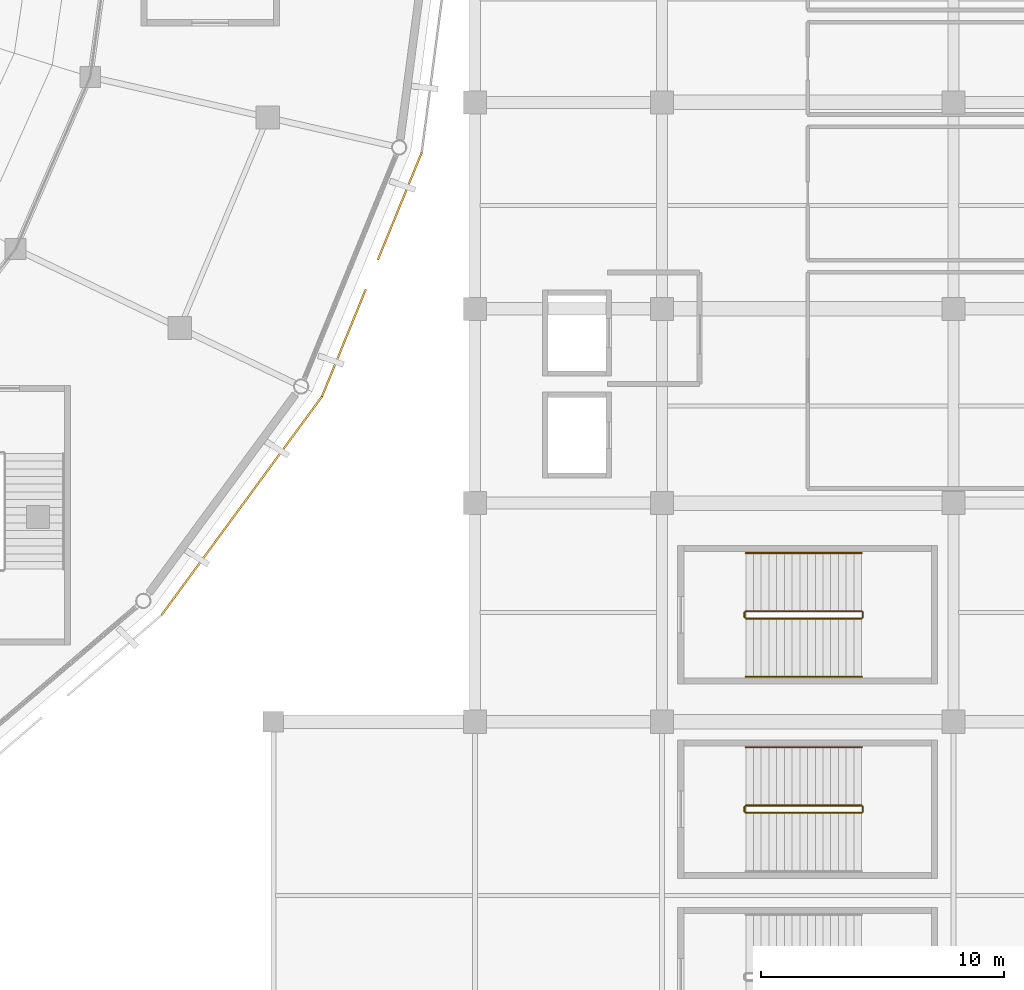
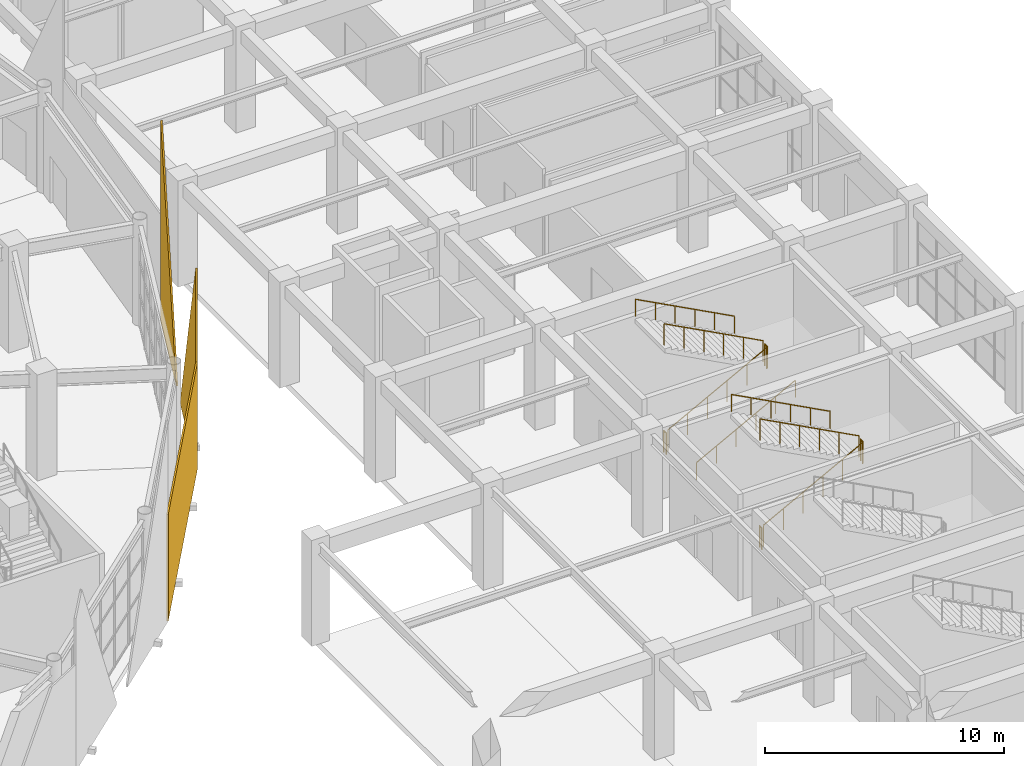
# One storey, part 114 of 120: 11 railings, 3 coverings.
"""IFC4 building model written with IfcOpenShell, lengths in metres."""

from ifc_helpers import new_model, si_unit, direction, frame, frame_2d, origin, origin_2d, place, context, subcontext, project, spatial, polyline, rectangle, circle, outline, extrude, material, layer, layer_set, type_object, element, save


model = new_model("IFC4")

# Units and contexts
model_context = context("Model", 3, precision=1e-05, world=origin(), true_north=direction((0.0, 1.0)))
body_context = subcontext(model_context, "Body", "Model", "MODEL_VIEW")
ifc_project = project(units=[si_unit("LENGTHUNIT", "METRE"), si_unit("AREAUNIT", "SQUARE_METRE"), si_unit("VOLUMEUNIT", "CUBIC_METRE"), si_unit("PLANEANGLEUNIT", "RADIAN"), si_unit("MASSUNIT", "GRAM", prefix="KILO")], contexts=[model_context])

# Site, building, storey
site_placement = place(None, origin())
site = spatial("IfcSite", under=ifc_project, at=site_placement, CompositionType="ELEMENT")
building_placement = place(site_placement, origin())
building = spatial("IfcBuilding", under=site, at=building_placement, Name="Cuetzalor Civic Arena", CompositionType="ELEMENT")
storey_placement = place(building_placement, frame((0.0, 0.0, 6.0)))
storey = spatial("IfcBuildingStorey", under=building, at=storey_placement, Name="L01", CompositionType="ELEMENT", Elevation=6.0)

# Railings
ifc_material_1 = material(Name="Reseda-green architectural Steel S355 balustrade", Category="steel")
railing_type_1 = type_object("IfcRailingType", Name="InteriorVoidBalustrade_1100", PredefinedType="BALUSTRADE", material=ifc_material_1)
railing_1_placement = place(storey_placement, frame((67.449951171875, -37.75, 0.168701171875)))
element("IfcRailing", 1, at=railing_1_placement, inside=storey, type_object=railing_type_1, Name="L01 ST-20 stair guard 1", PredefinedType="BALUSTRADE", context=body_context, shape_type="SweptSolid", body=[
    extrude(circle(Radius=0.02392578125, at=origin_2d()), frame((0.0, 0.0, 1.0810546875), z_axis=(0.883332211103, 0.0, 0.468747485143), x_axis=(0.0, 1.0, 0.0)), (0.0, 0.0, 1.0), 5.400146484375),
    extrude(circle(Radius=0.02099609375, at=origin_2d()), origin(), (0.0, 0.0, 1.0), 1.056884765625),
    extrude(circle(Radius=0.02099609375, at=origin_2d()), frame((0.9541015625, 0.0, 0.50634765625)), (0.0, 0.0, 1.0), 1.056884765625),
    extrude(circle(Radius=0.02099609375, at=origin_2d()), frame((1.907958984375, 0.0, 1.012451171875)), (0.0, 0.0, 1.0), 1.056884765625),
    extrude(circle(Radius=0.02099609375, at=origin_2d()), frame((2.862060546875, 0.0, 1.518798828125)), (0.0, 0.0, 1.0), 1.056884765625),
    extrude(circle(Radius=0.02099609375, at=origin_2d()), frame((3.81591796875, 0.0, 2.02490234375)), (0.0, 0.0, 1.0), 1.056884765625),
    extrude(circle(Radius=0.02099609375, at=origin_2d()), frame((4.77001953125, 0.0, 2.53125)), (0.0, 0.0, 1.0), 1.056884765625),
])
railing_2_placement = place(storey_placement, frame((72.27001953125, -37.699951171875, 2.699951171875)))
element("IfcRailing", 2, at=railing_2_placement, inside=storey, type_object=railing_type_1, Name="L01 ST-20 stair guard 2", PredefinedType="BALUSTRADE", context=body_context, shape_type="SweptSolid", body=[
    extrude(circle(Radius=0.02392578125, at=origin_2d()), frame((0.0, 0.0, 1.0810546875), z_axis=(0.0, 1.0, 0.0), x_axis=(-1.0, 0.0, 0.0)), (0.0, 0.0, 1.0), 0.199951171875),
    extrude(circle(Radius=0.02099609375, at=origin_2d()), origin(), (0.0, 0.0, 1.0), 1.056884765625),
    extrude(circle(Radius=0.02099609375, at=origin_2d()), frame((0.0, 0.199951171875, 0.0)), (0.0, 0.0, 1.0), 1.056884765625),
])
railing_3_placement = place(storey_placement, frame((72.219970703125, -37.449951171875, 2.86865234375)))
element("IfcRailing", 3, at=railing_3_placement, inside=storey, type_object=railing_type_1, Name="L01 ST-20 stair guard 3", PredefinedType="BALUSTRADE", context=body_context, shape_type="SweptSolid", body=[
    extrude(circle(Radius=0.02392578125, at=origin_2d()), frame((0.0, 0.0, 1.0810546875), z_axis=(-0.883332211103, 0.0, 0.468747485143), x_axis=(0.0, -1.0, 0.0)), (0.0, 0.0, 1.0), 5.400146484375),
    extrude(circle(Radius=0.02099609375, at=origin_2d()), origin(), (0.0, 0.0, 1.0), 1.056884765625),
    extrude(circle(Radius=0.02099609375, at=origin_2d()), frame((-0.9541015625, 0.0, 0.50634765625)), (0.0, 0.0, 1.0), 1.056884765625),
    extrude(circle(Radius=0.02099609375, at=origin_2d()), frame((-1.907958984375, 0.0, 1.012451171875)), (0.0, 0.0, 1.0), 1.056884765625),
    extrude(circle(Radius=0.02099609375, at=origin_2d()), frame((-2.862060546875, 0.0, 1.518798828125)), (0.0, 0.0, 1.0), 1.056884765625),
    extrude(circle(Radius=0.02099609375, at=origin_2d()), frame((-3.81591796875, 0.0, 2.02490234375)), (0.0, 0.0, 1.0), 1.056884765625),
    extrude(circle(Radius=0.02099609375, at=origin_2d()), frame((-4.77001953125, 0.0, 2.53125)), (0.0, 0.0, 1.0), 1.056884765625),
])
railing_4_placement = place(storey_placement, frame((67.39990234375, -37.699951171875, 0.0)))
element("IfcRailing", 4, at=railing_4_placement, inside=storey, type_object=railing_type_1, Name="L01 ST-20 stair guard 4", PredefinedType="BALUSTRADE", context=body_context, shape_type="SweptSolid", body=[
    extrude(circle(Radius=0.02392578125, at=origin_2d()), frame((0.0, 0.0, 1.0810546875), z_axis=(0.0, 1.0, 0.0), x_axis=(-1.0, 0.0, 0.0)), (0.0, 0.0, 1.0), 0.199951171875),
    extrude(circle(Radius=0.02099609375, at=origin_2d()), origin(), (0.0, 0.0, 1.0), 1.056884765625),
    extrude(circle(Radius=0.02099609375, at=origin_2d()), frame((0.0, 0.199951171875, 0.0)), (0.0, 0.0, 1.0), 1.056884765625),
])
railing_5_placement = place(storey_placement, frame((67.449951171875, -29.75, 0.168701171875)))
element("IfcRailing", 5, at=railing_5_placement, inside=storey, type_object=railing_type_1, Name="L01 ST-21 stair guard 1", PredefinedType="BALUSTRADE", context=body_context, shape_type="SweptSolid", body=[
    extrude(circle(Radius=0.02392578125, at=origin_2d()), frame((0.0, 0.0, 1.0810546875), z_axis=(0.883332211103, 0.0, 0.468747485143), x_axis=(0.0, 1.0, 0.0)), (0.0, 0.0, 1.0), 5.400146484375),
    extrude(circle(Radius=0.02099609375, at=origin_2d()), origin(), (0.0, 0.0, 1.0), 1.056884765625),
    extrude(circle(Radius=0.02099609375, at=origin_2d()), frame((0.9541015625, 0.0, 0.50634765625)), (0.0, 0.0, 1.0), 1.056884765625),
    extrude(circle(Radius=0.02099609375, at=origin_2d()), frame((1.907958984375, 0.0, 1.012451171875)), (0.0, 0.0, 1.0), 1.056884765625),
    extrude(circle(Radius=0.02099609375, at=origin_2d()), frame((2.862060546875, 0.0, 1.518798828125)), (0.0, 0.0, 1.0), 1.056884765625),
    extrude(circle(Radius=0.02099609375, at=origin_2d()), frame((3.81591796875, 0.0, 2.02490234375)), (0.0, 0.0, 1.0), 1.056884765625),
    extrude(circle(Radius=0.02099609375, at=origin_2d()), frame((4.77001953125, 0.0, 2.53125)), (0.0, 0.0, 1.0), 1.056884765625),
])
railing_6_placement = place(storey_placement, frame((72.27001953125, -29.699951171875, 2.699951171875)))
element("IfcRailing", 6, at=railing_6_placement, inside=storey, type_object=railing_type_1, Name="L01 ST-21 stair guard 2", PredefinedType="BALUSTRADE", context=body_context, shape_type="SweptSolid", body=[
    extrude(circle(Radius=0.02392578125, at=origin_2d()), frame((0.0, 0.0, 1.0810546875), z_axis=(0.0, 1.0, 0.0), x_axis=(-1.0, 0.0, 0.0)), (0.0, 0.0, 1.0), 0.199951171875),
    extrude(circle(Radius=0.02099609375, at=origin_2d()), origin(), (0.0, 0.0, 1.0), 1.056884765625),
    extrude(circle(Radius=0.02099609375, at=origin_2d()), frame((0.0, 0.199951171875, 0.0)), (0.0, 0.0, 1.0), 1.056884765625),
])
railing_7_placement = place(storey_placement, frame((72.219970703125, -29.449951171875, 2.86865234375)))
element("IfcRailing", 7, at=railing_7_placement, inside=storey, type_object=railing_type_1, Name="L01 ST-21 stair guard 3", PredefinedType="BALUSTRADE", context=body_context, shape_type="SweptSolid", body=[
    extrude(circle(Radius=0.02392578125, at=origin_2d()), frame((0.0, 0.0, 1.0810546875), z_axis=(-0.883332211103, 0.0, 0.468747485143), x_axis=(0.0, -1.0, 0.0)), (0.0, 0.0, 1.0), 5.400146484375),
    extrude(circle(Radius=0.02099609375, at=origin_2d()), origin(), (0.0, 0.0, 1.0), 1.056884765625),
    extrude(circle(Radius=0.02099609375, at=origin_2d()), frame((-0.9541015625, 0.0, 0.50634765625)), (0.0, 0.0, 1.0), 1.056884765625),
    extrude(circle(Radius=0.02099609375, at=origin_2d()), frame((-1.907958984375, 0.0, 1.012451171875)), (0.0, 0.0, 1.0), 1.056884765625),
    extrude(circle(Radius=0.02099609375, at=origin_2d()), frame((-2.862060546875, 0.0, 1.518798828125)), (0.0, 0.0, 1.0), 1.056884765625),
    extrude(circle(Radius=0.02099609375, at=origin_2d()), frame((-3.81591796875, 0.0, 2.02490234375)), (0.0, 0.0, 1.0), 1.056884765625),
    extrude(circle(Radius=0.02099609375, at=origin_2d()), frame((-4.77001953125, 0.0, 2.53125)), (0.0, 0.0, 1.0), 1.056884765625),
])
railing_8_placement = place(storey_placement, frame((67.39990234375, -29.699951171875, 0.0)))
element("IfcRailing", 8, at=railing_8_placement, inside=storey, type_object=railing_type_1, Name="L01 ST-21 stair guard 4", PredefinedType="BALUSTRADE", context=body_context, shape_type="SweptSolid", body=[
    extrude(circle(Radius=0.02392578125, at=origin_2d()), frame((0.0, 0.0, 1.0810546875), z_axis=(0.0, 1.0, 0.0), x_axis=(-1.0, 0.0, 0.0)), (0.0, 0.0, 1.0), 0.199951171875),
    extrude(circle(Radius=0.02099609375, at=origin_2d()), origin(), (0.0, 0.0, 1.0), 1.056884765625),
    extrude(circle(Radius=0.02099609375, at=origin_2d()), frame((0.0, 0.199951171875, 0.0)), (0.0, 0.0, 1.0), 1.056884765625),
])
ifc_material_2 = material(Name="Galvanised steel S355", Category="steel")
railing_type_2 = type_object("IfcRailingType", Name="StairPitchHandrail_900", PredefinedType="HANDRAIL", material=ifc_material_2)
railing_9_placement = place(storey_placement, frame((72.219970703125, -35.050048828125, 2.86865234375)))
element("IfcRailing", 9, at=railing_9_placement, inside=storey, type_object=railing_type_2, Name="L01 ST-20 stair handrail 2", PredefinedType="HANDRAIL", context=body_context, shape_type="SweptSolid", body=[
    extrude(circle(Radius=0.02392578125, at=origin_2d()), frame((0.0, 0.0, 0.8759765625), z_axis=(-0.883332211103, 0.0, 0.468747485143), x_axis=(0.0, -1.0, 0.0)), (0.0, 0.0, 1.0), 5.400146484375),
    extrude(circle(Radius=0.02099609375, at=origin_2d()), origin(), (0.0, 0.0, 1.0), 0.851806640625),
    extrude(circle(Radius=0.02099609375, at=origin_2d()), frame((-0.9541015625, 0.0, 0.50634765625)), (0.0, 0.0, 1.0), 0.851806640625),
    extrude(circle(Radius=0.02099609375, at=origin_2d()), frame((-1.907958984375, 0.0, 1.012451171875)), (0.0, 0.0, 1.0), 0.851806640625),
    extrude(circle(Radius=0.02099609375, at=origin_2d()), frame((-2.862060546875, 0.0, 1.518798828125)), (0.0, 0.0, 1.0), 0.851806640625),
    extrude(circle(Radius=0.02099609375, at=origin_2d()), frame((-3.81591796875, 0.0, 2.02490234375)), (0.0, 0.0, 1.0), 0.851806640625),
    extrude(circle(Radius=0.02099609375, at=origin_2d()), frame((-4.77001953125, 0.0, 2.53125)), (0.0, 0.0, 1.0), 0.851806640625),
])
railing_10_placement = place(storey_placement, frame((67.449951171875, -32.14990234375, 0.168701171875)))
element("IfcRailing", 10, at=railing_10_placement, inside=storey, type_object=railing_type_2, Name="L01 ST-21 stair handrail 1", PredefinedType="HANDRAIL", context=body_context, shape_type="SweptSolid", body=[
    extrude(circle(Radius=0.02392578125, at=origin_2d()), frame((0.0, 0.0, 0.8759765625), z_axis=(0.883332211103, 0.0, 0.468747485143), x_axis=(0.0, 1.0, 0.0)), (0.0, 0.0, 1.0), 5.400146484375),
    extrude(circle(Radius=0.02099609375, at=origin_2d()), origin(), (0.0, 0.0, 1.0), 0.851806640625),
    extrude(circle(Radius=0.02099609375, at=origin_2d()), frame((0.9541015625, 0.0, 0.50634765625)), (0.0, 0.0, 1.0), 0.851806640625),
    extrude(circle(Radius=0.02099609375, at=origin_2d()), frame((1.907958984375, 0.0, 1.012451171875)), (0.0, 0.0, 1.0), 0.851806640625),
    extrude(circle(Radius=0.02099609375, at=origin_2d()), frame((2.862060546875, 0.0, 1.518798828125)), (0.0, 0.0, 1.0), 0.851806640625),
    extrude(circle(Radius=0.02099609375, at=origin_2d()), frame((3.81591796875, 0.0, 2.02490234375)), (0.0, 0.0, 1.0), 0.851806640625),
    extrude(circle(Radius=0.02099609375, at=origin_2d()), frame((4.77001953125, 0.0, 2.53125)), (0.0, 0.0, 1.0), 0.851806640625),
])
railing_11_placement = place(storey_placement, frame((72.219970703125, -27.050048828125, 2.86865234375)))
element("IfcRailing", 11, at=railing_11_placement, inside=storey, type_object=railing_type_2, Name="L01 ST-21 stair handrail 2", PredefinedType="HANDRAIL", context=body_context, shape_type="SweptSolid", body=[
    extrude(circle(Radius=0.02392578125, at=origin_2d()), frame((0.0, 0.0, 0.8759765625), z_axis=(-0.883332211103, 0.0, 0.468747485143), x_axis=(0.0, -1.0, 0.0)), (0.0, 0.0, 1.0), 5.400146484375),
    extrude(circle(Radius=0.02099609375, at=origin_2d()), origin(), (0.0, 0.0, 1.0), 0.851806640625),
    extrude(circle(Radius=0.02099609375, at=origin_2d()), frame((-0.9541015625, 0.0, 0.50634765625)), (0.0, 0.0, 1.0), 0.851806640625),
    extrude(circle(Radius=0.02099609375, at=origin_2d()), frame((-1.907958984375, 0.0, 1.012451171875)), (0.0, 0.0, 1.0), 0.851806640625),
    extrude(circle(Radius=0.02099609375, at=origin_2d()), frame((-2.862060546875, 0.0, 1.518798828125)), (0.0, 0.0, 1.0), 0.851806640625),
    extrude(circle(Radius=0.02099609375, at=origin_2d()), frame((-3.81591796875, 0.0, 2.02490234375)), (0.0, 0.0, 1.0), 0.851806640625),
    extrude(circle(Radius=0.02099609375, at=origin_2d()), frame((-4.77001953125, 0.0, 2.53125)), (0.0, 0.0, 1.0), 0.851806640625),
])

# Coverings
ifc_material_3 = material(Name="Terracotta-red perforated anodised aluminium panel", Category="masonry")
ifc_layer = layer(ifc_material_3, 0.080078125)
ifc_layer_set = layer_set([ifc_layer], Name="Terracotta-red perforated anodised aluminium panel")
covering_type = type_object("IfcCoveringType", Name="TerracottaPerforatedScreenPanel", PredefinedType="CLADDING", material=ifc_layer_set)
covering_1_placement = place(storey_placement, frame((50.00390625, -20.609619140625, -0.14990234375), z_axis=(0.0, 0.0, 1.0), x_axis=(-0.591819224601, -0.806070719846, 0.0)))
element("IfcCovering", 12, at=covering_1_placement, inside=storey, type_object=covering_type, Name="Terracotta Perforated Drum Screen L01-S26", PredefinedType="CLADDING", context=body_context, shape_type="SweptSolid", body=[
    extrude(rectangle(XDim=11.1728515625, YDim=0.080078125, at=frame_2d((5.58642578125, 0.0))), origin(), (0.0, 0.0, 1.0), 5.429931640625),
])
covering_2_placement = place(storey_placement, frame((54.1083984375, -10.569580078125, -0.14990234375), z_axis=(0.0, 0.0, 1.0), x_axis=(-0.378391816968, -0.925645522245, 0.0)))
element("IfcCovering", 13, at=covering_2_placement, inside=storey, type_object=covering_type, Name="Terracotta Perforated Triangle Cheek Left S27", PredefinedType="CLADDING", context=body_context, shape_type="SweptSolid", body=[
    extrude(outline(polyline([(0.0, 0.0), (4.772705078125, 0.0), (4.7724609375, 0.139892578125), (0.0, 10.22998046875), (0.0, 0.0)])), frame((0.0, 0.0400390625, 0.0), z_axis=(0.0, -1.0, 0.0), x_axis=(1.0, 0.0, 0.0)), (0.0, 0.0, 1.0), 0.080078125),
])
covering_3_placement = place(storey_placement, frame((51.809814453125, -16.19189453125, -0.14990234375), z_axis=(0.0, 0.0, 1.0), x_axis=(-0.378391816968, -0.925645522245, 0.0)))
element("IfcCovering", 14, at=covering_3_placement, inside=storey, type_object=covering_type, Name="Terracotta Perforated Triangle Cheek Right S27", PredefinedType="CLADDING", context=body_context, shape_type="SweptSolid", body=[
    extrude(outline(polyline([(0.0, 0.0), (4.772705078125, 0.0), (4.7724609375, 10.22998046875), (0.0, 0.139892578125), (0.0, 0.0)])), frame((0.0, 0.0400390625, 0.0), z_axis=(0.0, -1.0, 0.0), x_axis=(1.0, 0.0, 0.0)), (0.0, 0.0, 1.0), 0.080078125),
])

save(model, "model.ifc")
